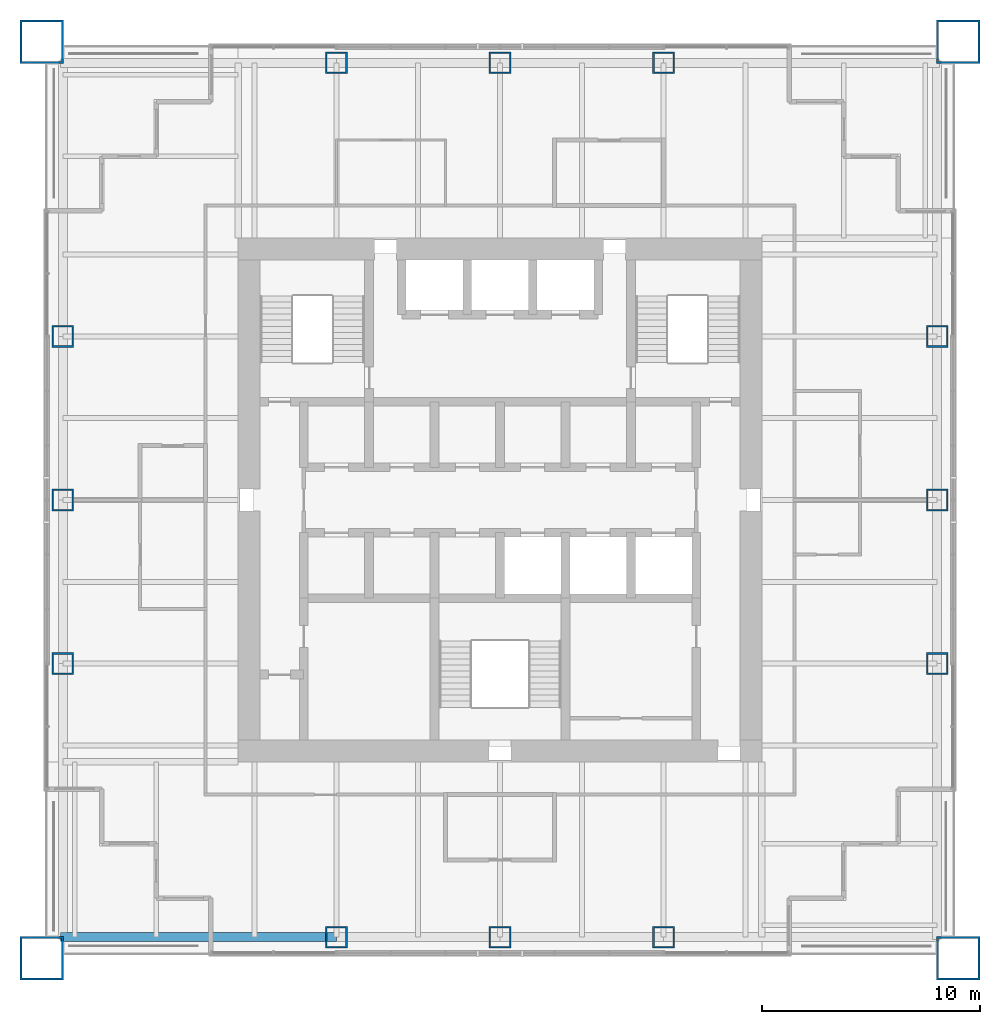
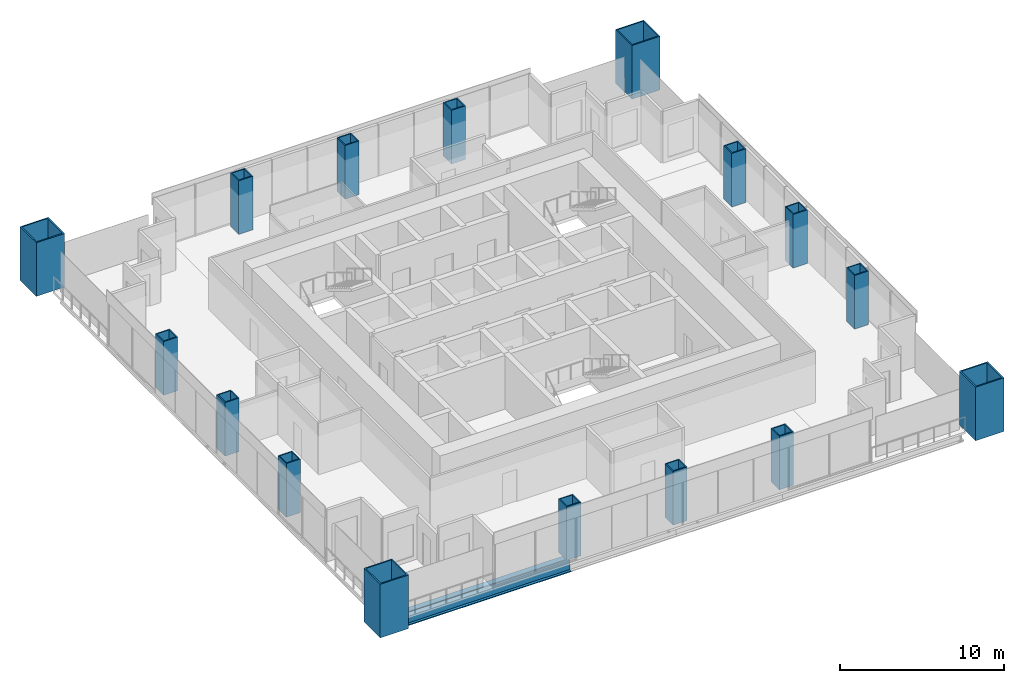
# One storey, part 1 of 14: 16 columns, 1 beam.
"""IFC4 building model written with IfcOpenShell, lengths in metres."""

from ifc_helpers import new_model, si_unit, direction, frame, origin, origin_2d, place, context, subcontext, project, spatial, hollow_rectangle, i_section, extrude, material, material_profile, profile_set, type_object, element, save


model = new_model("IFC4")

# Units and contexts
model_context = context("Model", 3, precision=1e-05, world=origin(), true_north=direction((0.0, 1.0)))
body_context = subcontext(model_context, "Body", "Model", "MODEL_VIEW")
ifc_project = project(units=[si_unit("LENGTHUNIT", "METRE"), si_unit("AREAUNIT", "SQUARE_METRE"), si_unit("VOLUMEUNIT", "CUBIC_METRE"), si_unit("PLANEANGLEUNIT", "RADIAN"), si_unit("MASSUNIT", "GRAM", prefix="KILO")], contexts=[model_context])

# Site, building, storey
site_placement = place(None, origin())
site = spatial("IfcSite", under=ifc_project, at=site_placement, CompositionType="ELEMENT")
building_placement = place(site_placement, origin())
building = spatial("IfcBuilding", under=site, at=building_placement, Name="Tarangal Relay Tower", CompositionType="ELEMENT")
storey_placement = place(building_placement, frame((0.0, 0.0, 279.89990234375)))
storey = spatial("IfcBuildingStorey", under=building, at=storey_placement, Name="L61", CompositionType="ELEMENT", Elevation=279.89990234375)

# Columns
ifc_material_1 = material(Name="Steel ASTM A572 Grade 50", Category="steel")
ifc_material_profile_1 = material_profile(ifc_material_1, hollow_rectangle(XDim=2.0, YDim=2.0, WallThickness=0.094970703125, at=origin_2d()), Name="BOX2000X2000X95")
ifc_profile_set_1 = profile_set([ifc_material_profile_1], Name="Steel ASTM A572 Grade 50")
column_type_1 = type_object("IfcColumnType", Name="Mega column BOX2000X2000X95", PredefinedType="COLUMN", material=ifc_profile_set_1)
for number, where, z_axis, x_axis, name in (
    (1, (21.0, 21.0, 0.0), (0.0, 0.0, 1.0), (1.0, 0.0, 0.0), "Mega column MC4 NE L61"),
    (2, (21.0, -21.0, 0.0), (0.0, 0.0, 1.0), (1.0, 0.0, 0.0), "Mega column MC4 SE L61"),
    (3, (-21.0, -21.0, 0.0), (0.0, 0.0, 1.0), (1.0, 0.0, 0.0), "Mega column MC4 SW L61"),
    (4, (-21.0, 21.0, 0.0), (0.0, 0.0, 1.0), (1.0, 0.0, 0.0), "Mega column MC4 NW L61"),
):
    element("IfcColumn", number, at=place(storey_placement, frame(where, z_axis=z_axis, x_axis=x_axis)), inside=storey, type_object=column_type_1, Name=name, PredefinedType="COLUMN", context=body_context, shape_type="SweptSolid", body=[
        extrude(hollow_rectangle(XDim=2.0, YDim=2.0, WallThickness=0.094970703125, at=origin_2d()), origin(), (0.0, 0.0, 1.0), 4.0),
    ])
ifc_material_profile_2 = material_profile(ifc_material_1, hollow_rectangle(XDim=1.0, YDim=1.0, WallThickness=0.074951171875, at=origin_2d()), Name="BOX1000X1000X75")
ifc_profile_set_2 = profile_set([ifc_material_profile_2], Name="Steel ASTM A572 Grade 50")
column_type_2 = type_object("IfcColumnType", Name="Perimeter column BOX1000X1000X75", PredefinedType="COLUMN", material=ifc_profile_set_2)
for number, where, z_axis, x_axis, name in (
    (5, (-7.5, 20.0400390625, 0.0), (0.0, 0.0, 1.0), (1.0, 0.0, 0.0), "Perimeter column PC5 N L61"),
    (6, (0.0, 20.0400390625, 0.0), (0.0, 0.0, 1.0), (1.0, 0.0, 0.0), "Perimeter column PC5 N L61"),
    (7, (7.5, 20.0400390625, 0.0), (0.0, 0.0, 1.0), (1.0, 0.0, 0.0), "Perimeter column PC5 N L61"),
    (8, (20.0400390625, 7.5, 0.0), (0.0, 0.0, 1.0), (1.0, 0.0, 0.0), "Perimeter column PC5 E L61"),
    (9, (20.0400390625, 0.0, 0.0), (0.0, 0.0, 1.0), (1.0, 0.0, 0.0), "Perimeter column PC5 E L61"),
    (10, (20.0400390625, -7.5, 0.0), (0.0, 0.0, 1.0), (1.0, 0.0, 0.0), "Perimeter column PC5 E L61"),
    (11, (7.5, -20.0400390625, 0.0), (0.0, 0.0, 1.0), (1.0, 0.0, 0.0), "Perimeter column PC5 S L61"),
    (12, (0.0, -20.0400390625, 0.0), (0.0, 0.0, 1.0), (1.0, 0.0, 0.0), "Perimeter column PC5 S L61"),
    (13, (-7.5, -20.0400390625, 0.0), (0.0, 0.0, 1.0), (1.0, 0.0, 0.0), "Perimeter column PC5 S L61"),
    (14, (-20.0400390625, -7.5, 0.0), (0.0, 0.0, 1.0), (1.0, 0.0, 0.0), "Perimeter column PC5 W L61"),
    (15, (-20.0400390625, 0.0, 0.0), (0.0, 0.0, 1.0), (1.0, 0.0, 0.0), "Perimeter column PC5 W L61"),
    (16, (-20.0400390625, 7.5, 0.0), (0.0, 0.0, 1.0), (1.0, 0.0, 0.0), "Perimeter column PC5 W L61"),
):
    element("IfcColumn", number, at=place(storey_placement, frame(where, z_axis=z_axis, x_axis=x_axis)), inside=storey, type_object=column_type_2, Name=name, PredefinedType="COLUMN", context=body_context, shape_type="SweptSolid", body=[
        extrude(hollow_rectangle(XDim=1.0, YDim=1.0, WallThickness=0.074951171875, at=origin_2d()), origin(), (0.0, 0.0, 1.0), 4.0),
    ])

# Beam
ifc_material_2 = material(Name="Steel ASTM A992", Category="steel")
ifc_material_profile_3 = material_profile(ifc_material_2, i_section(OverallWidth=0.41162109375, OverallDepth=1.049072265625, WebThickness=0.033935546875, FlangeThickness=0.059814453125, at=origin_2d()), Name="W40X431")
ifc_profile_set_3 = profile_set([ifc_material_profile_3], Name="Steel ASTM A992")
beam_type = type_object("IfcBeamType", Name="Edge girder W40X431", PredefinedType="SPANDREL", material=ifc_profile_set_3)
beam_placement = place(storey_placement, frame((-7.5, -20.0400390625, -0.67431640625), z_axis=(-1.0, 0.0, 0.0), x_axis=(0.0, -1.0, 0.0)))
element("IfcBeam", 17, at=beam_placement, inside=storey, type_object=beam_type, Name="Edge girder EG1 S L61", PredefinedType="SPANDREL", context=body_context, shape_type="SweptSolid", body=[
    extrude(i_section(OverallWidth=0.41162109375, OverallDepth=1.049072265625, WebThickness=0.033935546875, FlangeThickness=0.059814453125, at=origin_2d()), origin(), (0.0, 0.0, 1.0), 12.64990234375),
])

save(model, "model.ifc")
